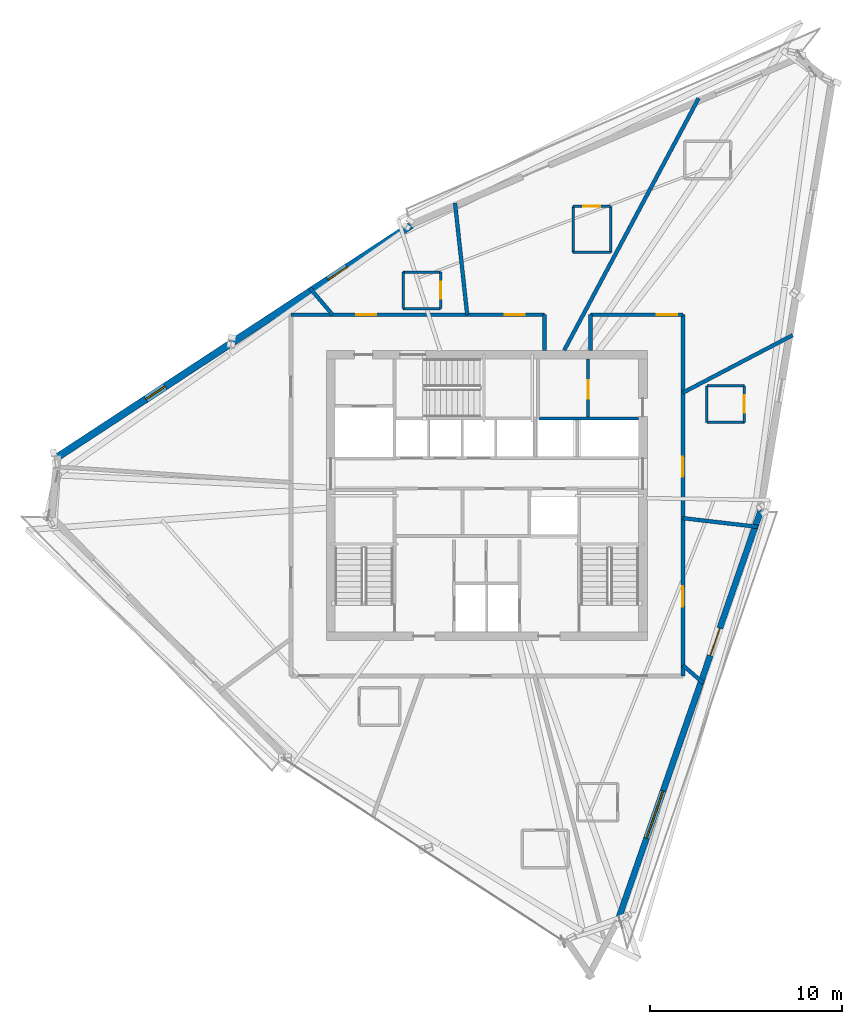
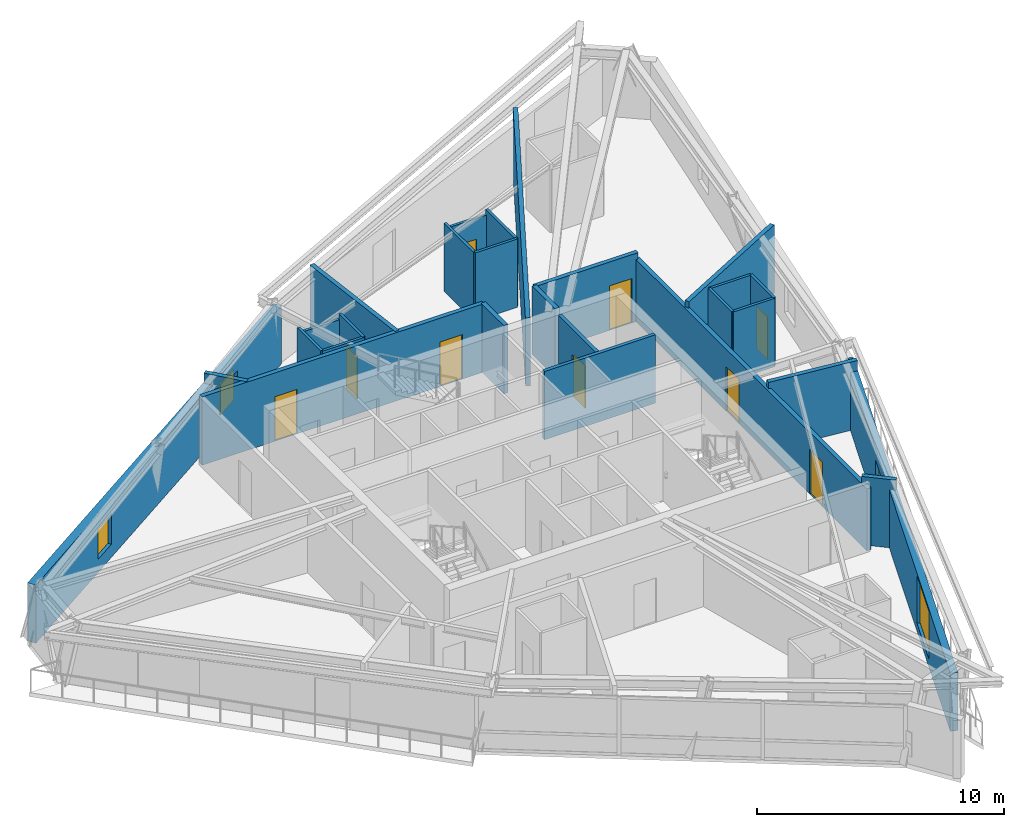
# One storey, part 10 of 14: 27 walls, 10 doors, 3 windows, 13 openings.
"""IFC4 building model written with IfcOpenShell, lengths in metres."""

from ifc_helpers import new_model, si_unit, direction, frame, frame_2d, origin, place, context, subcontext, project, spatial, rectangle, extrude, source, transform, mapped, material, layer, layer_set, type_object, type_shapes, element, fill, save


model = new_model("IFC4")

# Units and contexts
model_context = context("Model", 3, precision=1e-05, world=origin(), true_north=direction((0.0, 1.0)))
body_context = subcontext(model_context, "Body", "Model", "MODEL_VIEW")
ifc_project = project(units=[si_unit("LENGTHUNIT", "METRE"), si_unit("AREAUNIT", "SQUARE_METRE"), si_unit("VOLUMEUNIT", "CUBIC_METRE"), si_unit("PLANEANGLEUNIT", "RADIAN"), si_unit("MASSUNIT", "GRAM", prefix="KILO")], contexts=[model_context])

# Site, building, storey
site_placement = place(None, origin())
site = spatial("IfcSite", under=ifc_project, at=site_placement, CompositionType="ELEMENT")
building_placement = place(site_placement, origin())
building = spatial("IfcBuilding", under=site, at=building_placement, Name="Olszyna Solenne Hotel", CompositionType="ELEMENT")
storey_placement = place(building_placement, frame((0.0, 0.0, 252.5)))
storey = spatial("IfcBuildingStorey", under=building, at=storey_placement, Name="L67", CompositionType="ELEMENT", Elevation=252.5)

# Wall, openings, door, window
ifc_material_1 = material(Name="Precast concrete C45/55", Category="concrete")
ifc_layer_1 = layer(ifc_material_1, 0.320068359375, Name="Precast concrete C45/55")
ifc_layer_set_1 = layer_set([ifc_layer_1], Name="Precast concrete C45/55")
wall_type_1 = type_object("IfcWallType", Name="WL-EX320", PredefinedType="SOLIDWALL", material=ifc_layer_set_1)
wall_1_placement = place(storey_placement, frame((52.264404296875, 25.817138671875, 0.0), z_axis=(0.0, 0.0, 1.0), x_axis=(-0.329283040193, -0.944231263749, 0.0)))
wall_1 = element("IfcWall", 1, at=wall_1_placement, inside=storey, type_object=wall_type_1, Name="Exterior terracotta-precast frame wall WL-EX320 EW-L67-01", PredefinedType="SOLIDWALL", context=body_context, shape_type="SweptSolid", body=[
    extrude(rectangle(XDim=22.663330078125, YDim=0.320068359375, at=frame_2d((11.33154296875, 0.0))), origin(), (0.0, 0.0, 1.0), 2.8720703125),
])
opening_1_placement = place(wall_1_placement, frame((6.501953125, 0.0, 0.0)))
opening_1 = element("IfcOpeningElement", 2, at=opening_1_placement, cuts=wall_1, Name="Opening LDG-L67-3", PredefinedType="OPENING", context=body_context, shape_type="SweptSolid", body=[
    extrude(rectangle(XDim=1.5, YDim=2.300048828125, at=frame_2d((0.75, 1.14990234375))), frame((0.0, 0.169921875, 0.0), z_axis=(0.0, -1.0, 0.0), x_axis=(1.0, 0.0, 0.0)), (0.0, 0.0, 1.0), 0.340087890625),
])
opening_2_placement = place(wall_1_placement, frame((15.470947265625, 0.0, 0.402099609375)))
opening_2 = element("IfcOpeningElement", 3, at=opening_2_placement, cuts=wall_1, Name="Opening WN-L67-441", PredefinedType="OPENING", context=body_context, shape_type="SweptSolid", body=[
    extrude(rectangle(XDim=2.60009765625, YDim=2.35009765625, at=frame_2d((1.300048828125, 1.175048828125))), frame((0.0, 0.169921875, 0.0), z_axis=(0.0, -1.0, 0.0), x_axis=(1.0, 0.0, 0.0)), (0.0, 0.0, 1.0), 0.340087890625),
])
ifc_material_2 = material(Name="Anodised bronze aluminium", Category="aluminium")
door_type_1 = type_object("IfcDoorType", Name="DR-LG2", OperationType="DOUBLE_DOOR_SINGLE_SWING", PredefinedType="DOOR", material=ifc_material_2)
shared_shape_1 = source(origin(), body_context, "Body", "SweptSolid", [
    extrude(rectangle(XDim=1.5, YDim=2.300048828125, at=frame_2d((0.75, 1.14990234375))), frame((0.0, 0.02490234375, 0.0), z_axis=(0.0, -1.0, 0.0), x_axis=(1.0, 0.0, 0.0)), (0.0, 0.0, 1.0), 0.050048828125),
])
type_shapes(door_type_1, [shared_shape_1])
door_1_placement = place(opening_1_placement, origin())
door_1 = element("IfcDoor", 4, at=door_1_placement, inside=storey, type_object=door_type_1, Name="Exterior loggia balcony door DR-LG2 LDG-L67-3", OperationType="DOUBLE_DOOR_SINGLE_SWING", OverallHeight=2.300048828125, OverallWidth=1.5, PredefinedType="DOOR", context=body_context, shape_type="MappedRepresentation", body=[
    mapped(shared_shape_1, transform((0.0, 0.0, 0.0), x_axis=(1.0, 0.0, 0.0), y_axis=(0.0, 1.0, 0.0), z_axis=(0.0, 0.0, 1.0), scale=1.0)),
])
fill(opening_1, door_1)
ifc_material_3 = material(Name="Low-E triple glazing", Category="glass")
window_type_1 = type_object("IfcWindowType", Name="WN-ST1", PartitioningType="SINGLE_PANEL", PredefinedType="WINDOW", material=ifc_material_3)
shared_shape_2 = source(origin(), body_context, "Body", "SweptSolid", [
    extrude(rectangle(XDim=2.60009765625, YDim=2.35009765625, at=frame_2d((1.300048828125, 1.175048828125))), frame((0.0, 0.030029296875, 0.0), z_axis=(0.0, -1.0, 0.0), x_axis=(1.0, 0.0, 0.0)), (0.0, 0.0, 1.0), 0.06005859375),
])
type_shapes(window_type_1, [shared_shape_2])
window_1_placement = place(opening_2_placement, origin())
window_1 = element("IfcWindow", 5, at=window_1_placement, inside=storey, type_object=window_type_1, Name="Loggia room window WN-ST1 WN-L67-441", OverallHeight=2.35009765625, OverallWidth=2.60009765625, PartitioningType="SINGLE_PANEL", PredefinedType="WINDOW", context=body_context, shape_type="MappedRepresentation", body=[
    mapped(shared_shape_2, transform((0.0, 0.0, 0.0), x_axis=(1.0, 0.0, 0.0), y_axis=(0.0, 1.0, 0.0), z_axis=(0.0, 0.0, 1.0), scale=1.0)),
])
fill(opening_2, window_1)

# Wall, openings, windows
ifc_material_4 = material(Name="Terracotta cladding on precast concrete C45/55", Category="masonry")
ifc_layer_2 = layer(ifc_material_4, 0.3798828125, Name="Terracotta cladding on precast concrete C45/55")
ifc_layer_set_2 = layer_set([ifc_layer_2], Name="Terracotta cladding on precast concrete C45/55")
wall_type_2 = type_object("IfcWallType", Name="WL-EX380", PredefinedType="SOLIDWALL", material=ifc_layer_set_2)
wall_2_placement = place(storey_placement, frame((15.5751953125, 28.538818359375, 0.0), z_axis=(0.0, 0.0, 1.0), x_axis=(0.836303758155, 0.5482663806, 0.0)))
wall_2 = element("IfcWall", 6, at=wall_2_placement, inside=storey, type_object=wall_type_2, Name="Exterior terracotta-precast frame wall WL-EX380 EW-L67-07", PredefinedType="SOLIDWALL", context=body_context, shape_type="SweptSolid", body=[
    extrude(rectangle(XDim=22.1240234375, YDim=0.3798828125, at=frame_2d((11.06201171875, 0.0))), origin(), (0.0, 0.0, 1.0), 2.8720703125),
])
opening_3_placement = place(wall_2_placement, frame((5.594970703125, 0.0, 0.64990234375)))
opening_3 = element("IfcOpeningElement", 7, at=opening_3_placement, cuts=wall_2, Name="Opening WN-L67-443", PredefinedType="OPENING", context=body_context, shape_type="SweptSolid", body=[
    extrude(rectangle(XDim=1.199951171875, YDim=1.5, at=frame_2d((0.60009765625, 0.75))), frame((0.0, 0.199951171875, 0.0), z_axis=(0.0, -1.0, 0.0), x_axis=(1.0, 0.0, 0.0)), (0.0, 0.0, 1.0), 0.39990234375),
])
opening_4_placement = place(wall_2_placement, frame((16.928955078125, 0.0, 0.64990234375)))
opening_4 = element("IfcOpeningElement", 8, at=opening_4_placement, cuts=wall_2, Name="Opening WN-L67-444", PredefinedType="OPENING", context=body_context, shape_type="SweptSolid", body=[
    extrude(rectangle(XDim=1.199951171875, YDim=1.5, at=frame_2d((0.60009765625, 0.75))), frame((0.0, 0.199951171875, 0.0), z_axis=(0.0, -1.0, 0.0), x_axis=(1.0, 0.0, 0.0)), (0.0, 0.0, 1.0), 0.39990234375),
])
window_type_2 = type_object("IfcWindowType", Name="WN-B1", PartitioningType="SINGLE_PANEL", PredefinedType="WINDOW", material=ifc_material_3)
shared_shape_3 = source(origin(), body_context, "Body", "SweptSolid", [
    extrude(rectangle(XDim=1.199951171875, YDim=1.5, at=frame_2d((0.60009765625, 0.75))), frame((0.0, 0.030029296875, 0.0), z_axis=(0.0, -1.0, 0.0), x_axis=(1.0, 0.0, 0.0)), (0.0, 0.0, 1.0), 0.06005859375),
])
type_shapes(window_type_2, [shared_shape_3])
window_2_placement = place(opening_3_placement, origin())
window_2 = element("IfcWindow", 9, at=window_2_placement, inside=storey, type_object=window_type_2, Name="Exterior facade window WN-B1 WN-L67-443", OverallHeight=1.5, OverallWidth=1.199951171875, PartitioningType="SINGLE_PANEL", PredefinedType="WINDOW", context=body_context, shape_type="MappedRepresentation", body=[
    mapped(shared_shape_3, transform((0.0, 0.0, 0.0), x_axis=(1.0, 0.0, 0.0), y_axis=(0.0, 1.0, 0.0), z_axis=(0.0, 0.0, 1.0), scale=1.0)),
])
fill(opening_3, window_2)
window_3_placement = place(opening_4_placement, origin())
window_3 = element("IfcWindow", 10, at=window_3_placement, inside=storey, type_object=window_type_2, Name="Exterior facade window WN-B1 WN-L67-444", OverallHeight=1.5, OverallWidth=1.199951171875, PartitioningType="SINGLE_PANEL", PredefinedType="WINDOW", context=body_context, shape_type="MappedRepresentation", body=[
    mapped(shared_shape_3, transform((0.0, 0.0, 0.0), x_axis=(1.0, 0.0, 0.0), y_axis=(0.0, 1.0, 0.0), z_axis=(0.0, 0.0, 1.0), scale=1.0)),
])
fill(opening_4, window_3)

# Wall, opening, door
ifc_material_5 = material(Name="Acoustic gypsum partition", Category="gypsum")
ifc_layer_3 = layer(ifc_material_5, 0.125, Name="Acoustic gypsum partition")
ifc_layer_set_3 = layer_set([ifc_layer_3], Name="Acoustic gypsum partition")
wall_type_3 = type_object("IfcWallType", Name="WL-PT125", PredefinedType="PARTITIONING", material=ifc_layer_set_3)
wall_3_placement = place(storey_placement, frame((51.39697265625, 30.39892578125, 0.0), z_axis=(0.0, 0.0, 1.0), x_axis=(0.0, 1.0, 0.0)))
wall_3 = element("IfcWall", 11, at=wall_3_placement, inside=storey, type_object=wall_type_3, Name="Interior acoustic partition WL-PT125 PW-L67-3738", PredefinedType="PARTITIONING", context=body_context, shape_type="SweptSolid", body=[
    extrude(rectangle(XDim=1.900146484375, YDim=0.125, at=frame_2d((0.9501953125, 0.0))), origin(), (0.0, 0.0, 1.0), 3.3798828125),
])
opening_5_placement = place(wall_3_placement, frame((0.5, 0.0, 0.0)))
opening_5 = element("IfcOpeningElement", 12, at=opening_5_placement, cuts=wall_3, Name="Opening DR-L67-0909", PredefinedType="OPENING", context=body_context, shape_type="SweptSolid", body=[
    extrude(rectangle(XDim=0.89990234375, YDim=2.10009765625, at=frame_2d((0.449951171875, 1.050048828125))), frame((0.0, 0.072509765625, 0.0), z_axis=(0.0, -1.0, 0.0), x_axis=(1.0, 0.0, 0.0)), (0.0, 0.0, 1.0), 0.14501953125),
])
ifc_material_6 = material(Name="Timber hardwood", Category="wood")
door_type_2 = type_object("IfcDoorType", Name="DR-WC1", OperationType="NOTDEFINED", PredefinedType="DOOR", material=ifc_material_6)
shared_shape_4 = source(origin(), body_context, "Body", "SweptSolid", [
    extrude(rectangle(XDim=0.89990234375, YDim=2.10009765625, at=frame_2d((0.449951171875, 1.050048828125))), frame((0.0, 0.02490234375, 0.0), z_axis=(0.0, -1.0, 0.0), x_axis=(1.0, 0.0, 0.0)), (0.0, 0.0, 1.0), 0.050048828125),
])
type_shapes(door_type_2, [shared_shape_4])
door_2_placement = place(opening_5_placement, origin())
door_2 = element("IfcDoor", 13, at=door_2_placement, inside=storey, type_object=door_type_2, Name="En-Suite Bathroom Door DR-L67-0909", OperationType="SINGLE_SWING_RIGHT", OverallHeight=2.10009765625, OverallWidth=0.89990234375, PredefinedType="DOOR", context=body_context, shape_type="MappedRepresentation", body=[
    mapped(shared_shape_4, transform((0.0, 0.0, 0.0), x_axis=(1.0, 0.0, 0.0), y_axis=(0.0, 1.0, 0.0), z_axis=(0.0, 0.0, 1.0), scale=1.0)),
])
fill(opening_5, door_2)

# Walls
wall_4_placement = place(storey_placement, frame((51.39697265625, 32.299072265625, 0.0), z_axis=(0.0, 0.0, 1.0), x_axis=(-1.0, 0.0, 0.0)))
element("IfcWall", 14, at=wall_4_placement, inside=storey, type_object=wall_type_3, Name="Interior acoustic partition WL-PT125 PW-L67-3739", PredefinedType="PARTITIONING", context=body_context, shape_type="SweptSolid", body=[
    extrude(rectangle(XDim=1.949951171875, YDim=0.125, at=frame_2d((0.97509765625, 0.0))), origin(), (0.0, 0.0, 1.0), 3.3798828125),
])
wall_5_placement = place(storey_placement, frame((49.447021484375, 32.299072265625, 0.0), z_axis=(0.0, 0.0, 1.0), x_axis=(0.0, -1.0, 0.0)))
element("IfcWall", 15, at=wall_5_placement, inside=storey, type_object=wall_type_3, Name="Interior acoustic partition WL-PT125 PW-L67-3740", PredefinedType="PARTITIONING", context=body_context, shape_type="SweptSolid", body=[
    extrude(rectangle(XDim=1.900146484375, YDim=0.125, at=frame_2d((0.9501953125, 0.0))), origin(), (0.0, 0.0, 1.0), 3.3798828125),
])
wall_6_placement = place(storey_placement, frame((49.447021484375, 30.39892578125, 0.0), z_axis=(0.0, 0.0, 1.0), x_axis=(1.0, 0.0, 0.0)))
element("IfcWall", 16, at=wall_6_placement, inside=storey, type_object=wall_type_3, Name="Interior acoustic partition WL-PT125 PW-L67-3741", PredefinedType="PARTITIONING", context=body_context, shape_type="SweptSolid", body=[
    extrude(rectangle(XDim=1.949951171875, YDim=0.125, at=frame_2d((0.97509765625, 0.0))), origin(), (0.0, 0.0, 1.0), 3.3798828125),
])
wall_7_placement = place(storey_placement, frame((44.43798828125, 39.242919921875, 0.0), z_axis=(0.0, 0.0, 1.0), x_axis=(0.0, 1.0, 0.0)))
element("IfcWall", 17, at=wall_7_placement, inside=storey, type_object=wall_type_3, Name="Interior acoustic partition WL-PT125 PW-L67-3746", PredefinedType="PARTITIONING", context=body_context, shape_type="SweptSolid", body=[
    extrude(rectangle(XDim=2.400146484375, YDim=0.125, at=frame_2d((1.2001953125, 0.0))), origin(), (0.0, 0.0, 1.0), 3.3798828125),
])

# Wall, opening, door
wall_8_placement = place(storey_placement, frame((44.43798828125, 41.64306640625, 0.0), z_axis=(0.0, 0.0, 1.0), x_axis=(-1.0, 0.0, 0.0)))
wall_8 = element("IfcWall", 18, at=wall_8_placement, inside=storey, type_object=wall_type_3, Name="Interior acoustic partition WL-PT125 PW-L67-3747", PredefinedType="PARTITIONING", context=body_context, shape_type="SweptSolid", body=[
    extrude(rectangle(XDim=1.949951171875, YDim=0.125, at=frame_2d((0.97509765625, 0.0))), origin(), (0.0, 0.0, 1.0), 3.125),
])
opening_6_placement = place(wall_8_placement, frame((0.52490234375, 0.0, 0.0)))
opening_6 = element("IfcOpeningElement", 19, at=opening_6_placement, cuts=wall_8, Name="Opening DR-L67-0911", PredefinedType="OPENING", context=body_context, shape_type="SweptSolid", body=[
    extrude(rectangle(XDim=0.89990234375, YDim=2.10009765625, at=frame_2d((0.449951171875, 1.050048828125))), frame((0.0, 0.072509765625, 0.0), z_axis=(0.0, -1.0, 0.0), x_axis=(1.0, 0.0, 0.0)), (0.0, 0.0, 1.0), 0.14501953125),
])
door_3_placement = place(opening_6_placement, origin())
door_3 = element("IfcDoor", 20, at=door_3_placement, inside=storey, type_object=door_type_2, Name="En-Suite Bathroom Door DR-L67-0911", OperationType="SINGLE_SWING_LEFT", OverallHeight=2.10009765625, OverallWidth=0.89990234375, PredefinedType="DOOR", context=body_context, shape_type="MappedRepresentation", body=[
    mapped(shared_shape_4, transform((0.0, 0.0, 0.0), x_axis=(1.0, 0.0, 0.0), y_axis=(0.0, 1.0, 0.0), z_axis=(0.0, 0.0, 1.0), scale=1.0)),
])
fill(opening_6, door_3)

# Walls
wall_9_placement = place(storey_placement, frame((42.488037109375, 41.64306640625, 0.0), z_axis=(0.0, 0.0, 1.0), x_axis=(0.0, -1.0, 0.0)))
element("IfcWall", 21, at=wall_9_placement, inside=storey, type_object=wall_type_3, Name="Interior acoustic partition WL-PT125 PW-L67-3748", PredefinedType="PARTITIONING", context=body_context, shape_type="SweptSolid", body=[
    extrude(rectangle(XDim=2.400146484375, YDim=0.125, at=frame_2d((1.2001953125, 0.0))), origin(), (0.0, 0.0, 1.0), 3.3798828125),
])
wall_10_placement = place(storey_placement, frame((42.488037109375, 39.242919921875, 0.0), z_axis=(0.0, 0.0, 1.0), x_axis=(1.0, 0.0, 0.0)))
element("IfcWall", 22, at=wall_10_placement, inside=storey, type_object=wall_type_3, Name="Interior acoustic partition WL-PT125 PW-L67-3749", PredefinedType="PARTITIONING", context=body_context, shape_type="SweptSolid", body=[
    extrude(rectangle(XDim=1.949951171875, YDim=0.125, at=frame_2d((0.97509765625, 0.0))), origin(), (0.0, 0.0, 1.0), 3.3798828125),
])

# Wall, opening, door
wall_11_placement = place(storey_placement, frame((35.594970703125, 36.320068359375, 0.0), z_axis=(0.0, 0.0, 1.0), x_axis=(0.0, 1.0, 0.0)))
wall_11 = element("IfcWall", 23, at=wall_11_placement, inside=storey, type_object=wall_type_3, Name="Interior acoustic partition WL-PT125 PW-L67-3750", PredefinedType="PARTITIONING", context=body_context, shape_type="SweptSolid", body=[
    extrude(rectangle(XDim=1.89990234375, YDim=0.125, at=frame_2d((0.949951171875, 0.0))), origin(), (0.0, 0.0, 1.0), 3.3798828125),
])
opening_7_placement = place(wall_11_placement, frame((0.5, 0.0, 0.0)))
opening_7 = element("IfcOpeningElement", 24, at=opening_7_placement, cuts=wall_11, Name="Opening DR-L67-0912", PredefinedType="OPENING", context=body_context, shape_type="SweptSolid", body=[
    extrude(rectangle(XDim=0.89990234375, YDim=2.10009765625, at=frame_2d((0.449951171875, 1.050048828125))), frame((0.0, 0.072509765625, 0.0), z_axis=(0.0, -1.0, 0.0), x_axis=(1.0, 0.0, 0.0)), (0.0, 0.0, 1.0), 0.14501953125),
])
door_4_placement = place(opening_7_placement, origin())
door_4 = element("IfcDoor", 25, at=door_4_placement, inside=storey, type_object=door_type_2, Name="En-Suite Bathroom Door DR-L67-0912", OperationType="SINGLE_SWING_RIGHT", OverallHeight=2.10009765625, OverallWidth=0.89990234375, PredefinedType="DOOR", context=body_context, shape_type="MappedRepresentation", body=[
    mapped(shared_shape_4, transform((0.0, 0.0, 0.0), x_axis=(1.0, 0.0, 0.0), y_axis=(0.0, 1.0, 0.0), z_axis=(0.0, 0.0, 1.0), scale=1.0)),
])
fill(opening_7, door_4)

# Walls
wall_12_placement = place(storey_placement, frame((35.594970703125, 38.219970703125, 0.0), z_axis=(0.0, 0.0, 1.0), x_axis=(-1.0, 0.0, 0.0)))
element("IfcWall", 26, at=wall_12_placement, inside=storey, type_object=wall_type_3, Name="Interior acoustic partition WL-PT125 PW-L67-3751", PredefinedType="PARTITIONING", context=body_context, shape_type="SweptSolid", body=[
    extrude(rectangle(XDim=1.949951171875, YDim=0.125, at=frame_2d((0.97509765625, 0.0))), origin(), (0.0, 0.0, 1.0), 3.125),
])
wall_13_placement = place(storey_placement, frame((33.64501953125, 38.219970703125, 0.0), z_axis=(0.0, 0.0, 1.0), x_axis=(0.0, -1.0, 0.0)))
element("IfcWall", 27, at=wall_13_placement, inside=storey, type_object=wall_type_3, Name="Interior acoustic partition WL-PT125 PW-L67-3752", PredefinedType="PARTITIONING", context=body_context, shape_type="SweptSolid", body=[
    extrude(rectangle(XDim=1.89990234375, YDim=0.125, at=frame_2d((0.949951171875, 0.0))), origin(), (0.0, 0.0, 1.0), 3.3798828125),
])
wall_14_placement = place(storey_placement, frame((33.64501953125, 36.320068359375, 0.0), z_axis=(0.0, 0.0, 1.0), x_axis=(1.0, 0.0, 0.0)))
element("IfcWall", 28, at=wall_14_placement, inside=storey, type_object=wall_type_3, Name="Interior acoustic partition WL-PT125 PW-L67-3753", PredefinedType="PARTITIONING", context=body_context, shape_type="SweptSolid", body=[
    extrude(rectangle(XDim=1.949951171875, YDim=0.125, at=frame_2d((0.97509765625, 0.0))), origin(), (0.0, 0.0, 1.0), 3.3798828125),
])
ifc_layer_4 = layer(ifc_material_5, 0.159912109375, Name="Acoustic gypsum partition")
ifc_layer_set_4 = layer_set([ifc_layer_4], Name="Acoustic gypsum partition")
wall_type_4 = type_object("IfcWallType", Name="WL-PT160", PredefinedType="PARTITIONING", material=ifc_layer_set_4)
wall_15_placement = place(storey_placement, frame((40.719970703125, 30.60009765625, 0.0), z_axis=(0.0, 0.0, 1.0), x_axis=(1.0, 0.0, 0.0)))
element("IfcWall", 29, at=wall_15_placement, inside=storey, type_object=wall_type_4, Name="Core shaft compartment wall CW-L67-LRNTOP", PredefinedType="PARTITIONING", context=body_context, shape_type="SweptSolid", body=[
    extrude(rectangle(XDim=5.179931640625, YDim=0.159912109375, at=frame_2d((2.58984375, 0.0))), origin(), (0.0, 0.0, 1.0), 3.3798828125),
])

# Wall, opening, door
wall_16_placement = place(storey_placement, frame((43.27001953125, 30.679931640625, 0.0), z_axis=(0.0, 0.0, 1.0), x_axis=(0.0, 1.0, 0.0)))
wall_16 = element("IfcWall", 30, at=wall_16_placement, inside=storey, type_object=wall_type_4, Name="Core shaft compartment wall CW-L67-BOH1", PredefinedType="PARTITIONING", context=body_context, shape_type="SweptSolid", body=[
    extrude(rectangle(XDim=3.02001953125, YDim=0.159912109375, at=frame_2d((1.510009765625, 0.0))), origin(), (0.0, 0.0, 1.0), 3.3798828125),
])
opening_8_placement = place(wall_16_placement, frame((0.949951171875, 0.0, 0.0)))
opening_8 = element("IfcOpeningElement", 31, at=opening_8_placement, cuts=wall_16, Name="Opening SVD-L67-BI1", PredefinedType="OPENING", context=body_context, shape_type="SweptSolid", body=[
    extrude(rectangle(XDim=0.949951171875, YDim=2.10009765625, at=frame_2d((0.47509765625, 1.050048828125))), frame((0.0, 0.08984375, 0.0), z_axis=(0.0, -1.0, 0.0), x_axis=(1.0, 0.0, 0.0)), (0.0, 0.0, 1.0), 0.179931640625),
])
ifc_material_7 = material(Name="Steel S355J2", Category="steel")
door_type_3 = type_object("IfcDoorType", Name="DR-SV1", OperationType="NOTDEFINED", PredefinedType="DOOR", material=ifc_material_7)
shared_shape_5 = source(origin(), body_context, "Body", "SweptSolid", [
    extrude(rectangle(XDim=0.949951171875, YDim=2.10009765625, at=frame_2d((0.47509765625, 1.050048828125))), frame((0.0, 0.02490234375, 0.0), z_axis=(0.0, -1.0, 0.0), x_axis=(1.0, 0.0, 0.0)), (0.0, 0.0, 1.0), 0.050048828125),
])
type_shapes(door_type_3, [shared_shape_5])
door_5_placement = place(opening_8_placement, origin())
door_5 = element("IfcDoor", 32, at=door_5_placement, inside=storey, type_object=door_type_3, Name="BOH inter-room fire door SVD-L67-BI1", OperationType="SINGLE_SWING_LEFT", OverallHeight=2.10009765625, OverallWidth=0.949951171875, PredefinedType="DOOR", context=body_context, shape_type="MappedRepresentation", body=[
    mapped(shared_shape_5, transform((0.0, 0.0, 0.0), x_axis=(1.0, 0.0, 0.0), y_axis=(0.0, 1.0, 0.0), z_axis=(0.0, 0.0, 1.0), scale=1.0)),
])
fill(opening_8, door_5)

# Walls
ifc_layer_5 = layer(ifc_material_5, 0.199951171875, Name="Acoustic gypsum partition")
ifc_layer_set_5 = layer_set([ifc_layer_5], Name="Acoustic gypsum partition")
wall_type_5 = type_object("IfcWallType", Name="WL-PT200", PredefinedType="PARTITIONING", material=ifc_layer_set_5)
wall_17_placement = place(storey_placement, frame((48.199951171875, 17.755615234375, 0.0), z_axis=(0.0, 0.0, 1.0), x_axis=(0.755500982585, -0.655147514162, 0.0)))
element("IfcWall", 33, at=wall_17_placement, inside=storey, type_object=wall_type_5, Name="Interior acoustic partition WL-PT200 PW-L67-3722", PredefinedType="PARTITIONING", context=body_context, shape_type="SweptSolid", body=[
    extrude(rectangle(XDim=1.41357421875, YDim=0.199951171875, at=frame_2d((0.706787109375, 0.0))), origin(), (0.0, 0.0, 1.0), 3.3798828125),
])
wall_18_placement = place(storey_placement, frame((48.199951171875, 25.412109375, 0.0), z_axis=(0.0, 0.0, 1.0), x_axis=(0.993283151491, -0.115709035791, 0.0)))
element("IfcWall", 34, at=wall_18_placement, inside=storey, type_object=wall_type_5, Name="Interior acoustic partition WL-PT200 PW-L67-3723", PredefinedType="PARTITIONING", context=body_context, shape_type="SweptSolid", body=[
    extrude(rectangle(XDim=3.9287109375, YDim=0.199951171875, at=frame_2d((1.96435546875, 0.0))), origin(), (0.0, 0.0, 1.0), 3.3798828125),
])
wall_19_placement = place(storey_placement, frame((48.199951171875, 31.942138671875, 0.0), z_axis=(0.0, 0.0, 1.0), x_axis=(0.885861896698, 0.463949027349, 0.0)))
element("IfcWall", 35, at=wall_19_placement, inside=storey, type_object=wall_type_5, Name="Interior acoustic partition WL-PT200 PW-L67-3724", PredefinedType="PARTITIONING", context=body_context, shape_type="SweptSolid", body=[
    extrude(rectangle(XDim=6.45263671875, YDim=0.199951171875, at=frame_2d((3.226318359375, 0.0))), origin(), (0.0, 0.0, 1.0), 3.3798828125),
])
wall_20_placement = place(storey_placement, frame((42.026611328125, 34.14990234375, 0.0), z_axis=(0.0, 0.0, 1.0), x_axis=(0.47056606421, 0.882364765397, 0.0)))
element("IfcWall", 36, at=wall_20_placement, inside=storey, type_object=wall_type_5, Name="Interior acoustic partition WL-PT200 PW-L67-3725", PredefinedType="PARTITIONING", context=body_context, shape_type="SweptSolid", body=[
    extrude(rectangle(XDim=14.860107421875, YDim=0.199951171875, at=frame_2d((7.43017578125, 0.0))), origin(), (0.0, 0.0, 1.0), 3.3798828125),
])
wall_21_placement = place(storey_placement, frame((36.9765625, 36.0, 0.0), z_axis=(0.0, 0.0, 1.0), x_axis=(-0.10825472155, 0.994123189178, 0.0)))
element("IfcWall", 37, at=wall_21_placement, inside=storey, type_object=wall_type_5, Name="Interior acoustic partition WL-PT200 PW-L67-3726", PredefinedType="PARTITIONING", context=body_context, shape_type="SweptSolid", body=[
    extrude(rectangle(XDim=5.847900390625, YDim=0.199951171875, at=frame_2d((2.923828125, 0.0))), origin(), (0.0, 0.0, 1.0), 3.3798828125),
])
wall_22_placement = place(storey_placement, frame((29.9716796875, 36.0, 0.0), z_axis=(0.0, 0.0, 1.0), x_axis=(-0.649426318999, 0.760424523665, 0.0)))
element("IfcWall", 38, at=wall_22_placement, inside=storey, type_object=wall_type_5, Name="Interior acoustic partition WL-PT200 PW-L67-3727", PredefinedType="PARTITIONING", context=body_context, shape_type="SweptSolid", body=[
    extrude(rectangle(XDim=1.827880859375, YDim=0.199951171875, at=frame_2d((0.9140625, 0.0))), origin(), (0.0, 0.0, 1.0), 3.3798828125),
])

# Wall, openings, doors
wall_23_placement = place(storey_placement, frame((27.800048828125, 36.0, 0.0), z_axis=(0.0, 0.0, 1.0), x_axis=(1.0, 0.0, 0.0)))
wall_23 = element("IfcWall", 39, at=wall_23_placement, inside=storey, type_object=wall_type_5, Name="Interior acoustic partition WL-PT200 PW-L67-3760", PredefinedType="PARTITIONING", context=body_context, shape_type="SweptSolid", body=[
    extrude(rectangle(XDim=13.199951171875, YDim=0.199951171875, at=frame_2d((6.60009765625, 0.0))), origin(), (0.0, 0.0, 1.0), 3.3798828125),
])
opening_9_placement = place(wall_23_placement, frame((11.12890625, 0.0, 0.0)))
opening_9 = element("IfcOpeningElement", 40, at=opening_9_placement, cuts=wall_23, Name="Opening DR-L67-0919", PredefinedType="OPENING", context=body_context, shape_type="SweptSolid", body=[
    extrude(rectangle(XDim=1.050048828125, YDim=2.199951171875, at=frame_2d((0.52490234375, 1.10009765625))), frame((0.0, 0.10986328125, 0.0), z_axis=(0.0, -1.0, 0.0), x_axis=(1.0, 0.0, 0.0)), (0.0, 0.0, 1.0), 0.219970703125),
])
opening_10_placement = place(wall_23_placement, frame((3.39599609375, 0.0, 0.0)))
opening_10 = element("IfcOpeningElement", 41, at=opening_10_placement, cuts=wall_23, Name="Opening DR-L67-0920", PredefinedType="OPENING", context=body_context, shape_type="SweptSolid", body=[
    extrude(rectangle(XDim=1.050048828125, YDim=2.199951171875, at=frame_2d((0.52490234375, 1.10009765625))), frame((0.0, 0.10986328125, 0.0), z_axis=(0.0, -1.0, 0.0), x_axis=(1.0, 0.0, 0.0)), (0.0, 0.0, 1.0), 0.219970703125),
])
door_type_4 = type_object("IfcDoorType", Name="DR-RM2", OperationType="NOTDEFINED", PredefinedType="DOOR", material=ifc_material_6)
shared_shape_6 = source(origin(), body_context, "Body", "SweptSolid", [
    extrude(rectangle(XDim=1.050048828125, YDim=2.199951171875, at=frame_2d((0.52490234375, 1.10009765625))), frame((0.0, 0.02490234375, 0.0), z_axis=(0.0, -1.0, 0.0), x_axis=(1.0, 0.0, 0.0)), (0.0, 0.0, 1.0), 0.050048828125),
])
type_shapes(door_type_4, [shared_shape_6])
door_6_placement = place(opening_9_placement, origin())
door_6 = element("IfcDoor", 42, at=door_6_placement, inside=storey, type_object=door_type_4, Name="Deluxe Hotel Guestroom Entrance Door DR-L67-0919", OperationType="SINGLE_SWING_LEFT", OverallHeight=2.199951171875, OverallWidth=1.050048828125, PredefinedType="DOOR", context=body_context, shape_type="MappedRepresentation", body=[
    mapped(shared_shape_6, transform((0.0, 0.0, 0.0), x_axis=(1.0, 0.0, 0.0), y_axis=(0.0, 1.0, 0.0), z_axis=(0.0, 0.0, 1.0), scale=1.0)),
])
fill(opening_9, door_6)
door_7_placement = place(opening_10_placement, origin())
door_7 = element("IfcDoor", 43, at=door_7_placement, inside=storey, type_object=door_type_4, Name="Deluxe Hotel Guestroom Entrance Door DR-L67-0920", OperationType="SINGLE_SWING_RIGHT", OverallHeight=2.199951171875, OverallWidth=1.050048828125, PredefinedType="DOOR", context=body_context, shape_type="MappedRepresentation", body=[
    mapped(shared_shape_6, transform((0.0, 0.0, 0.0), x_axis=(1.0, 0.0, 0.0), y_axis=(0.0, 1.0, 0.0), z_axis=(0.0, 0.0, 1.0), scale=1.0)),
])
fill(opening_10, door_7)

# Wall
wall_24_placement = place(storey_placement, frame((41.0, 34.14990234375, 0.0), z_axis=(0.0, 0.0, 1.0), x_axis=(0.0, 1.0, 0.0)))
element("IfcWall", 44, at=wall_24_placement, inside=storey, type_object=wall_type_5, Name="Interior acoustic partition WL-PT200 PW-L67-3761", PredefinedType="PARTITIONING", context=body_context, shape_type="SweptSolid", body=[
    extrude(rectangle(XDim=1.85009765625, YDim=0.199951171875, at=frame_2d((0.925048828125, 0.0))), origin(), (0.0, 0.0, 1.0), 3.3798828125),
])

# Wall, opening, door
wall_25_placement = place(storey_placement, frame((43.39990234375, 36.0, 0.0), z_axis=(0.0, 0.0, 1.0), x_axis=(1.0, 0.0, 0.0)))
wall_25 = element("IfcWall", 45, at=wall_25_placement, inside=storey, type_object=wall_type_5, Name="Interior acoustic partition WL-PT200 PW-L67-3762", PredefinedType="PARTITIONING", context=body_context, shape_type="SweptSolid", body=[
    extrude(rectangle(XDim=4.800048828125, YDim=0.199951171875, at=frame_2d((2.39990234375, 0.0))), origin(), (0.0, 0.0, 1.0), 3.3798828125),
])
opening_11_placement = place(wall_25_placement, frame((3.449951171875, 0.0, 0.0)))
opening_11 = element("IfcOpeningElement", 46, at=opening_11_placement, cuts=wall_25, Name="Opening DR-L67-0921", PredefinedType="OPENING", context=body_context, shape_type="SweptSolid", body=[
    extrude(rectangle(XDim=1.050048828125, YDim=2.199951171875, at=frame_2d((0.52490234375, 1.10009765625))), frame((0.0, 0.10986328125, 0.0), z_axis=(0.0, -1.0, 0.0), x_axis=(1.0, 0.0, 0.0)), (0.0, 0.0, 1.0), 0.219970703125),
])
door_8_placement = place(opening_11_placement, origin())
door_8 = element("IfcDoor", 47, at=door_8_placement, inside=storey, type_object=door_type_4, Name="Deluxe Hotel Guestroom Entrance Door DR-L67-0921", OperationType="SINGLE_SWING_RIGHT", OverallHeight=2.199951171875, OverallWidth=1.050048828125, PredefinedType="DOOR", context=body_context, shape_type="MappedRepresentation", body=[
    mapped(shared_shape_6, transform((0.0, 0.0, 0.0), x_axis=(1.0, 0.0, 0.0), y_axis=(0.0, 1.0, 0.0), z_axis=(0.0, 0.0, 1.0), scale=1.0)),
])
fill(opening_11, door_8)

# Wall
wall_26_placement = place(storey_placement, frame((43.39990234375, 34.14990234375, 0.0), z_axis=(0.0, 0.0, 1.0), x_axis=(0.0, 1.0, 0.0)))
element("IfcWall", 48, at=wall_26_placement, inside=storey, type_object=wall_type_5, Name="Interior acoustic partition WL-PT200 PW-L67-3763", PredefinedType="PARTITIONING", context=body_context, shape_type="SweptSolid", body=[
    extrude(rectangle(XDim=1.85009765625, YDim=0.199951171875, at=frame_2d((0.925048828125, 0.0))), origin(), (0.0, 0.0, 1.0), 3.3798828125),
])

# Wall, openings, doors
wall_27_placement = place(storey_placement, frame((48.199951171875, 17.199951171875, 0.0), z_axis=(0.0, 0.0, 1.0), x_axis=(0.0, 1.0, 0.0)))
wall_27 = element("IfcWall", 49, at=wall_27_placement, inside=storey, type_object=wall_type_5, Name="Interior acoustic partition WL-PT200 PW-L67-3764", PredefinedType="PARTITIONING", context=body_context, shape_type="SweptSolid", body=[
    extrude(rectangle(XDim=18.800048828125, YDim=0.199951171875, at=frame_2d((9.39990234375, 0.0))), origin(), (0.0, 0.0, 1.0), 3.06494140625),
])
opening_12_placement = place(wall_27_placement, frame((3.60693359375, 0.0, 0.0)))
opening_12 = element("IfcOpeningElement", 50, at=opening_12_placement, cuts=wall_27, Name="Opening DR-L67-0922", PredefinedType="OPENING", context=body_context, shape_type="SweptSolid", body=[
    extrude(rectangle(XDim=1.050048828125, YDim=2.199951171875, at=frame_2d((0.52490234375, 1.10009765625))), frame((0.0, 0.10986328125, 0.0), z_axis=(0.0, -1.0, 0.0), x_axis=(1.0, 0.0, 0.0)), (0.0, 0.0, 1.0), 0.219970703125),
])
opening_13_placement = place(wall_27_placement, frame((10.35888671875, 0.0, 0.0)))
opening_13 = element("IfcOpeningElement", 51, at=opening_13_placement, cuts=wall_27, Name="Opening DR-L67-0923", PredefinedType="OPENING", context=body_context, shape_type="SweptSolid", body=[
    extrude(rectangle(XDim=1.050048828125, YDim=2.199951171875, at=frame_2d((0.52490234375, 1.10009765625))), frame((0.0, 0.10986328125, 0.0), z_axis=(0.0, -1.0, 0.0), x_axis=(1.0, 0.0, 0.0)), (0.0, 0.0, 1.0), 0.219970703125),
])
door_9_placement = place(opening_12_placement, origin())
door_9 = element("IfcDoor", 52, at=door_9_placement, inside=storey, type_object=door_type_4, Name="Deluxe Hotel Guestroom Entrance Door DR-L67-0922", OperationType="SINGLE_SWING_RIGHT", OverallHeight=2.199951171875, OverallWidth=1.050048828125, PredefinedType="DOOR", context=body_context, shape_type="MappedRepresentation", body=[
    mapped(shared_shape_6, transform((0.0, 0.0, 0.0), x_axis=(1.0, 0.0, 0.0), y_axis=(0.0, 1.0, 0.0), z_axis=(0.0, 0.0, 1.0), scale=1.0)),
])
fill(opening_12, door_9)
door_10_placement = place(opening_13_placement, origin())
door_10 = element("IfcDoor", 53, at=door_10_placement, inside=storey, type_object=door_type_4, Name="Deluxe Hotel Guestroom Entrance Door DR-L67-0923", OperationType="SINGLE_SWING_LEFT", OverallHeight=2.199951171875, OverallWidth=1.050048828125, PredefinedType="DOOR", context=body_context, shape_type="MappedRepresentation", body=[
    mapped(shared_shape_6, transform((0.0, 0.0, 0.0), x_axis=(1.0, 0.0, 0.0), y_axis=(0.0, 1.0, 0.0), z_axis=(0.0, 0.0, 1.0), scale=1.0)),
])
fill(opening_13, door_10)

save(model, "model.ifc")
